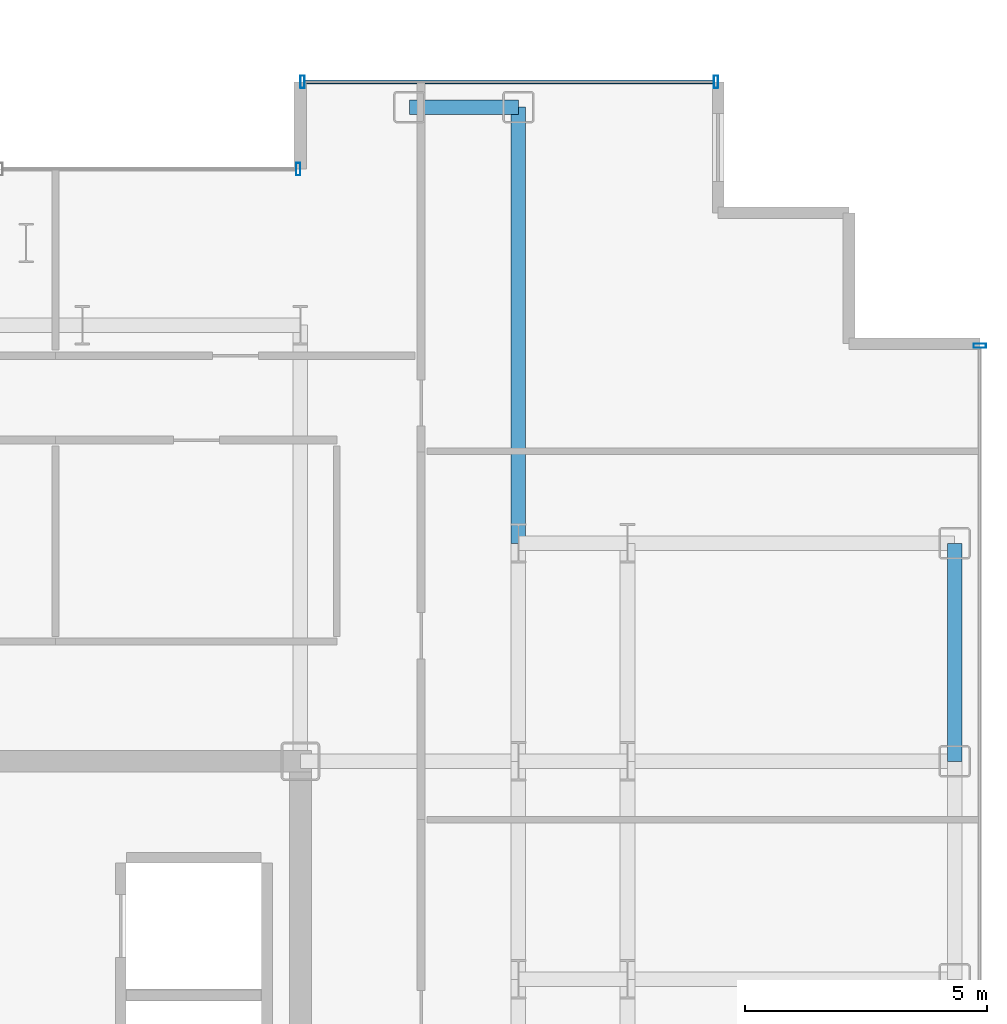
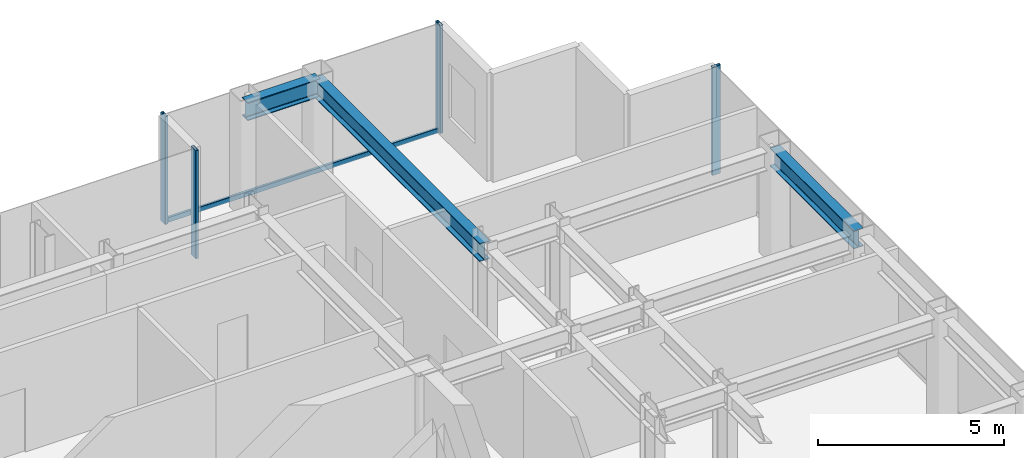
# One storey, part 12 of 20: 5 members, 3 beams, 3 elements without a shape of their own.
"""IFC4 building model written with IfcOpenShell, lengths in metres."""

from ifc_helpers import new_model, si_unit, direction, frame, origin, origin_2d, place, context, subcontext, project, spatial, hollow_rectangle, i_section, extrude, source, transform, mapped, material, layer, layer_set, material_profile, profile_set, type_object, element, aggregate, save


model = new_model("IFC4")

# Units and contexts
model_context = context("Model", 3, precision=1e-05, world=origin(), true_north=direction((0.0, 1.0)))
body_context = subcontext(model_context, "Body", "Model", "MODEL_VIEW")
ifc_project = project(units=[si_unit("LENGTHUNIT", "METRE"), si_unit("AREAUNIT", "SQUARE_METRE"), si_unit("VOLUMEUNIT", "CUBIC_METRE"), si_unit("PLANEANGLEUNIT", "RADIAN"), si_unit("MASSUNIT", "GRAM", prefix="KILO")], contexts=[model_context])

# Site, building, storey
site_placement = place(None, origin())
site = spatial("IfcSite", under=ifc_project, at=site_placement, CompositionType="ELEMENT")
building_placement = place(site_placement, origin())
building = spatial("IfcBuilding", under=site, at=building_placement, Name="Nefas-Gora Pilgrimage Tower", CompositionType="ELEMENT")
storey_placement = place(building_placement, frame((0.0, 0.0, 237.0)))
storey = spatial("IfcBuildingStorey", under=building, at=storey_placement, Name="L59", CompositionType="ELEMENT", Elevation=237.0)

# Beams
ifc_material_1 = material(Name="Steel S355", Category="steel")
ifc_material_profile_1 = material_profile(ifc_material_1, i_section(OverallWidth=0.300048828125, OverallDepth=0.60009765625, WebThickness=0.015380859375, FlangeThickness=0.030029296875, FilletRadius=0.027099609375, at=origin_2d()), Name="HEB 600")
ifc_profile_set_1 = profile_set([ifc_material_profile_1], Name="Steel S355")
beam_type_1 = type_object("IfcBeamType", Name="BM-SPN-HEB450", PredefinedType="SPANDREL", material=ifc_profile_set_1)
shared_shape_1 = source(origin(), body_context, "Body", "SweptSolid", [
    extrude(i_section(OverallWidth=0.300048828125, OverallDepth=0.60009765625, WebThickness=0.015380859375, FlangeThickness=0.030029296875, FilletRadius=0.027099609375, at=origin_2d()), origin(), (0.0, 0.0, 1.0), 4.5),
])
beam_1_placement = place(storey_placement, frame((24.75, 9.0, 3.25), z_axis=(0.0, 1.0, 0.0), x_axis=(-1.0, 0.0, 0.0)))
element("IfcBeam", 1, at=beam_1_placement, inside=storey, type_object=beam_type_1, Name="L59 SP-03 beam", PredefinedType="SPANDREL", context=body_context, shape_type="MappedRepresentation", body=[
    mapped(shared_shape_1, transform((0.0, 0.0, 0.0), x_axis=(1.0, 0.0, 0.0), y_axis=(0.0, 1.0, 0.0), z_axis=(0.0, 0.0, 1.0), scale=1.0)),
])
ifc_material_profile_2 = material_profile(ifc_material_1, i_section(OverallWidth=0.300048828125, OverallDepth=0.60009765625, WebThickness=0.015380859375, FlangeThickness=0.030029296875, FilletRadius=0.027099609375, at=origin_2d()), Name="HEB 600")
ifc_profile_set_2 = profile_set([ifc_material_profile_2], Name="Steel S355")
beam_type_2 = type_object("IfcBeamType", Name="BM-GIR-HEB600", PredefinedType="BEAM", material=ifc_profile_set_2)
shared_shape_2 = source(origin(), body_context, "Body", "SweptSolid", [
    extrude(i_section(OverallWidth=0.300048828125, OverallDepth=0.60009765625, WebThickness=0.015380859375, FlangeThickness=0.030029296875, FilletRadius=0.027099609375, at=origin_2d()), origin(), (0.0, 0.0, 1.0), 9.0),
])
beam_2_placement = place(storey_placement, frame((15.75, 13.5, 3.25), z_axis=(0.0, 1.0, 0.0), x_axis=(-1.0, 0.0, 0.0)))
element("IfcBeam", 2, at=beam_2_placement, inside=storey, type_object=beam_type_2, Name="L59 G-04 beam", PredefinedType="BEAM", context=body_context, shape_type="MappedRepresentation", body=[
    mapped(shared_shape_2, transform((0.0, 0.0, 0.0), x_axis=(1.0, 0.0, 0.0), y_axis=(0.0, 1.0, 0.0), z_axis=(0.0, 0.0, 1.0), scale=1.0)),
])
shared_shape_3 = source(origin(), body_context, "Body", "SweptSolid", [
    extrude(i_section(OverallWidth=0.300048828125, OverallDepth=0.60009765625, WebThickness=0.015380859375, FlangeThickness=0.030029296875, FilletRadius=0.027099609375, at=origin_2d()), origin(), (0.0, 0.0, 1.0), 2.25),
])
beam_3_placement = place(storey_placement, frame((13.5, 22.5, 3.25), z_axis=(1.0, 0.0, 0.0), x_axis=(0.0, 1.0, 0.0)))
element("IfcBeam", 3, at=beam_3_placement, inside=storey, type_object=beam_type_1, Name="L59 SP-03 beam", PredefinedType="SPANDREL", context=body_context, shape_type="MappedRepresentation", body=[
    mapped(shared_shape_3, transform((0.0, 0.0, 0.0), x_axis=(1.0, 0.0, 0.0), y_axis=(0.0, 1.0, 0.0), z_axis=(0.0, 0.0, 1.0), scale=1.0)),
])

# Curtain wall, member
ifc_material_2 = material(Name="Dark ceramic-fritted solar-control aluminium-glass curtain wall", Category="aluminium")
ifc_layer_1 = layer(ifc_material_2, 0.219970703125)
ifc_layer_set_1 = layer_set([ifc_layer_1], Name="Dark ceramic-fritted solar-control aluminium-glass curtain wall")
curtain_wall_type_1 = type_object("IfcCurtainWallType", Name="CW-SYS-5", PredefinedType="NOTDEFINED", material=ifc_layer_set_1)
curtain_wall_1_placement = place(storey_placement, origin())
curtain_wall_1 = element("IfcCurtainWall", 4, at=curtain_wall_1_placement, inside=storey, type_object=curtain_wall_type_1, Name="L59 Unitised Curtain Wall CW5", PredefinedType="NOTDEFINED")
ifc_material_3 = material(Name="Anodised architectural aluminium", Category="aluminium")
ifc_material_profile_3 = material_profile(ifc_material_3, hollow_rectangle(XDim=0.090087890625, YDim=0.260009765625, WallThickness=0.006103515625, InnerFilletRadius=0.006103515625, OuterFilletRadius=0.011962890625, at=origin_2d()), Name="ALU MULLION 90x260")
ifc_profile_set_3 = profile_set([ifc_material_profile_3], Name="Anodised architectural aluminium")
member_type_1 = type_object("IfcMemberType", Name="CWM-MUL-5", PredefinedType="MULLION", material=ifc_profile_set_3)
shared_shape_4 = source(origin(), body_context, "Body", "SweptSolid", [
    extrude(hollow_rectangle(XDim=0.090087890625, YDim=0.260009765625, WallThickness=0.006103515625, InnerFilletRadius=0.006103515625, OuterFilletRadius=0.011962890625, at=origin_2d()), origin(), (0.0, 0.0, 1.0), 3.550048828125),
])
member_1_placement = place(storey_placement, frame((11.205078125, 21.219970703125, 0.0), z_axis=(0.0, 0.0, 1.0), x_axis=(-1.0, 0.0, 0.0)))
member_1 = element("IfcMember", 5, at=member_1_placement, type_object=member_type_1, Name="CW5 Mullion 1", PredefinedType="MULLION", context=body_context, shape_type="MappedRepresentation", body=[
    mapped(shared_shape_4, transform((0.0, 0.0, 0.0), x_axis=(1.0, 0.0, 0.0), y_axis=(0.0, 1.0, 0.0), z_axis=(0.0, 0.0, 1.0), scale=1.0)),
])
aggregate(curtain_wall_1, [member_1])

ifc_layer_2 = layer(ifc_material_2, 0.219970703125)
ifc_layer_set_2 = layer_set([ifc_layer_2], Name="Dark ceramic-fritted solar-control aluminium-glass curtain wall")
curtain_wall_type_2 = type_object("IfcCurtainWallType", Name="CW-SYS-3", PredefinedType="NOTDEFINED", material=ifc_layer_set_2)
curtain_wall_2_placement = place(storey_placement, origin())
curtain_wall_2 = element("IfcCurtainWall", 6, at=curtain_wall_2_placement, inside=storey, type_object=curtain_wall_type_2, Name="L59 Unitised Curtain Wall CW3", PredefinedType="NOTDEFINED")
ifc_material_profile_4 = material_profile(ifc_material_3, hollow_rectangle(XDim=0.090087890625, YDim=0.260009765625, WallThickness=0.006103515625, InnerFilletRadius=0.006103515625, OuterFilletRadius=0.011962890625, at=origin_2d()), Name="ALU MULLION 90x260")
ifc_profile_set_4 = profile_set([ifc_material_profile_4], Name="Anodised architectural aluminium")
member_type_2 = type_object("IfcMemberType", Name="CWM-MUL-3", PredefinedType="MULLION", material=ifc_profile_set_4)
shared_shape_5 = source(origin(), body_context, "Body", "SweptSolid", [
    extrude(hollow_rectangle(XDim=0.090087890625, YDim=0.260009765625, WallThickness=0.006103515625, InnerFilletRadius=0.006103515625, OuterFilletRadius=0.011962890625, at=origin_2d()), origin(), (0.0, 0.0, 1.0), 3.550048828125),
])
member_2_placement = place(storey_placement, frame((25.27001953125, 17.574951171875, 0.0), z_axis=(0.0, 0.0, 1.0), x_axis=(0.0, 1.0, 0.0)))
member_2 = element("IfcMember", 7, at=member_2_placement, type_object=member_type_2, Name="CW3 Mullion 2", PredefinedType="MULLION", context=body_context, shape_type="MappedRepresentation", body=[
    mapped(shared_shape_5, transform((0.0, 0.0, 0.0), x_axis=(1.0, 0.0, 0.0), y_axis=(0.0, 1.0, 0.0), z_axis=(0.0, 0.0, 1.0), scale=1.0)),
])
aggregate(curtain_wall_2, [member_2])

# Curtain wall, members
curtain_wall_3_placement = place(storey_placement, origin())
curtain_wall_3 = element("IfcCurtainWall", 8, at=curtain_wall_3_placement, inside=storey, type_object=curtain_wall_type_2, Name="L59 Unitised Curtain Wall CW3", PredefinedType="NOTDEFINED")
member_3_placement = place(storey_placement, frame((19.824951171875, 23.02001953125, 0.0), z_axis=(0.0, 0.0, 1.0), x_axis=(-1.0, 0.0, 0.0)))
member_3 = element("IfcMember", 9, at=member_3_placement, type_object=member_type_2, Name="CW3 Mullion 1", PredefinedType="MULLION", context=body_context, shape_type="MappedRepresentation", body=[
    mapped(shared_shape_5, transform((0.0, 0.0, 0.0), x_axis=(1.0, 0.0, 0.0), y_axis=(0.0, 1.0, 0.0), z_axis=(0.0, 0.0, 1.0), scale=1.0)),
])
member_4_placement = place(storey_placement, frame((11.294921875, 23.02001953125, 0.0), z_axis=(0.0, 0.0, 1.0), x_axis=(-1.0, 0.0, 0.0)))
member_4 = element("IfcMember", 10, at=member_4_placement, type_object=member_type_2, Name="CW3 Mullion 2", PredefinedType="MULLION", context=body_context, shape_type="MappedRepresentation", body=[
    mapped(shared_shape_5, transform((0.0, 0.0, 0.0), x_axis=(1.0, 0.0, 0.0), y_axis=(0.0, 1.0, 0.0), z_axis=(0.0, 0.0, 1.0), scale=1.0)),
])
ifc_material_profile_5 = material_profile(ifc_material_3, hollow_rectangle(XDim=0.080078125, YDim=0.159912109375, WallThickness=0.00439453125, InnerFilletRadius=0.00439453125, OuterFilletRadius=0.009033203125, at=origin_2d()), Name="ALU TRANSOM 80x160")
ifc_profile_set_5 = profile_set([ifc_material_profile_5], Name="Anodised architectural aluminium")
member_type_3 = type_object("IfcMemberType", Name="CWM-TRN-3", PredefinedType="USERDEFINED", material=ifc_profile_set_5)
shared_shape_6 = source(origin(), body_context, "Body", "SweptSolid", [
    extrude(hollow_rectangle(XDim=0.080078125, YDim=0.159912109375, WallThickness=0.00439453125, InnerFilletRadius=0.00439453125, OuterFilletRadius=0.009033203125, at=origin_2d()), origin(), (0.0, 0.0, 1.0), 8.43994140625),
])
member_5_placement = place(storey_placement, frame((19.780029296875, 23.02001953125, 0.050048828125), z_axis=(-1.0, 0.0, 0.0), x_axis=(0.0, -1.0, 0.0)))
member_5 = element("IfcMember", 11, at=member_5_placement, type_object=member_type_3, Name="CW3 Spandrel Transom", ObjectType="TRANSOM", PredefinedType="USERDEFINED", context=body_context, shape_type="MappedRepresentation", body=[
    mapped(shared_shape_6, transform((0.0, 0.0, 0.0), x_axis=(1.0, 0.0, 0.0), y_axis=(0.0, 1.0, 0.0), z_axis=(0.0, 0.0, 1.0), scale=1.0)),
])
aggregate(curtain_wall_3, [member_3, member_4, member_5])

save(model, "model.ifc")
